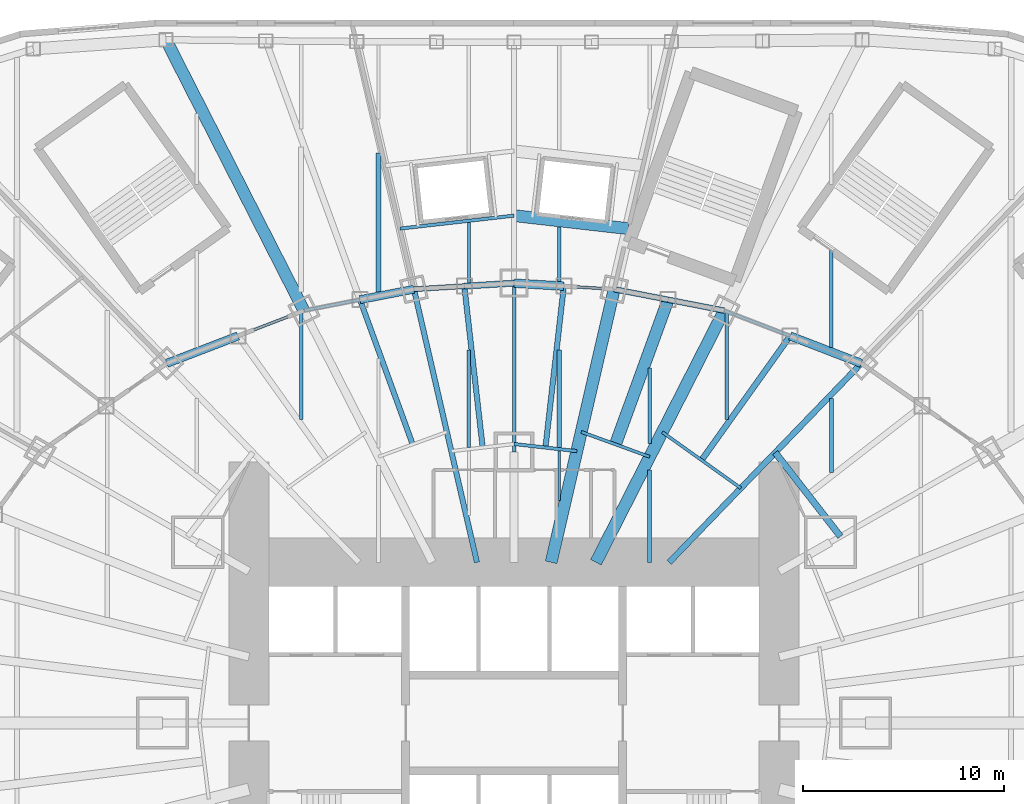
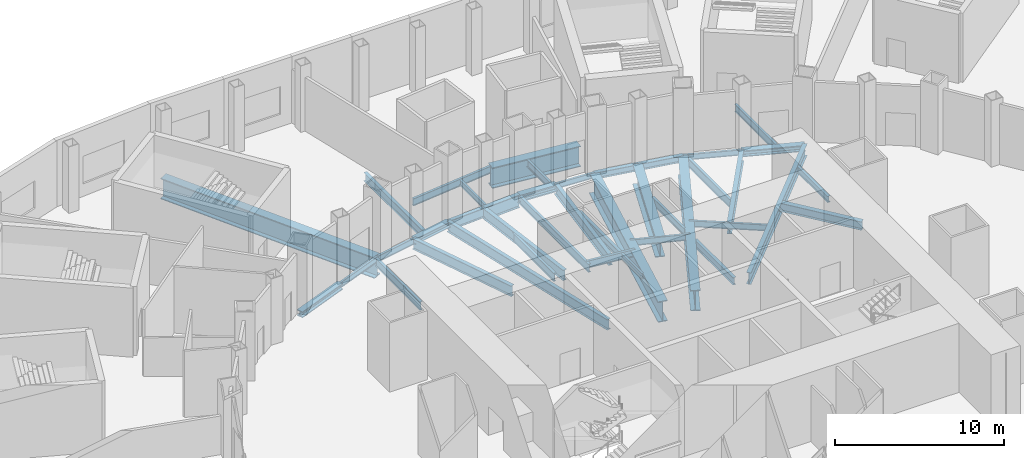
# One storey, part 7 of 73: 41 beams.
"""IFC4 building model written with IfcOpenShell, lengths in metres."""

from ifc_helpers import new_model, si_unit, direction, frame, origin, origin_2d, place, context, subcontext, project, spatial, i_section, extrude, material, material_profile, profile_set, type_object, element, save


model = new_model("IFC4")

# Units and contexts
model_context = context("Model", 3, precision=1e-05, world=origin(), true_north=direction((0.0, 1.0)))
body_context = subcontext(model_context, "Body", "Model", "MODEL_VIEW")
ifc_project = project(units=[si_unit("LENGTHUNIT", "METRE"), si_unit("AREAUNIT", "SQUARE_METRE"), si_unit("VOLUMEUNIT", "CUBIC_METRE"), si_unit("PLANEANGLEUNIT", "RADIAN"), si_unit("MASSUNIT", "GRAM", prefix="KILO")], contexts=[model_context])

# Site, building, storey
site_placement = place(None, origin())
site = spatial("IfcSite", under=ifc_project, at=site_placement, CompositionType="ELEMENT")
building_placement = place(site_placement, origin())
building = spatial("IfcBuilding", under=site, at=building_placement, Name="Lantaw Convention Tower", CompositionType="ELEMENT")
storey_placement = place(building_placement, frame((0.0, 0.0, 27.0)))
storey = spatial("IfcBuildingStorey", under=building, at=storey_placement, Name="L04", CompositionType="ELEMENT", Elevation=27.0)

# Beams
ifc_material_1 = material(Name="Steel ASTM A992", Category="steel")
ifc_material_profile_1 = material_profile(ifc_material_1, i_section(OverallWidth=0.40380859375, OverallDepth=0.406494140625, WebThickness=0.027099609375, FlangeThickness=0.043701171875, FilletRadius=0.01513671875, at=origin_2d()), Name="W14X233")
ifc_profile_set_1 = profile_set([ifc_material_profile_1], Name="Steel ASTM A992")
beam_type_1 = type_object("IfcBeamType", Name="Beam E W14X233", PredefinedType="SPANDREL", material=ifc_profile_set_1)
beam_1_placement = place(storey_placement, frame((-4.986328125, 21.59814453125, -0.4033203125), z_axis=(-0.981637218105, -0.190757364289, 0.0), x_axis=(0.190757364289, -0.981637218105, 0.0)))
element("IfcBeam", 1, at=beam_1_placement, inside=storey, type_object=beam_type_1, Name="Edge beam 8", PredefinedType="SPANDREL", context=body_context, shape_type="SweptSolid", body=[
    extrude(i_section(OverallWidth=0.40380859375, OverallDepth=0.406494140625, WebThickness=0.027099609375, FlangeThickness=0.043701171875, FilletRadius=0.01513671875, at=origin_2d()), origin(), (0.0, 0.0, 1.0), 2.735107421875),
])
ifc_material_profile_2 = material_profile(ifc_material_1, i_section(OverallWidth=0.41650390625, OverallDepth=0.444580078125, WebThickness=0.0390625, FlangeThickness=0.062744140625, FilletRadius=0.01513671875, at=origin_2d()), Name="W14X342")
ifc_profile_set_2 = profile_set([ifc_material_profile_2], Name="Steel ASTM A992")
beam_type_2 = type_object("IfcBeamType", Name="Beam E W14X342", PredefinedType="SPANDREL", material=ifc_profile_set_2)
for number, where, z_axis, x_axis, name in (
    (2, (17.290771484375, 17.9052734375, -0.42236328125), (-0.933224646415, 0.359293416754, 0.0), (-0.359293416754, -0.933224646415, 0.0), "Edge beam 4"),
    (3, (-13.745361328125, 19.270263671875, -0.42236328125), (-0.933224646415, -0.359293416754, 0.0), (0.359293416754, -0.933224646415, 0.0), "Edge beam 9"),
):
    element("IfcBeam", number, at=place(storey_placement, frame(where, z_axis=z_axis, x_axis=x_axis)), inside=storey, type_object=beam_type_2, Name=name, PredefinedType="SPANDREL", context=body_context, shape_type="SweptSolid", body=[
        extrude(i_section(OverallWidth=0.41650390625, OverallDepth=0.444580078125, WebThickness=0.0390625, FlangeThickness=0.062744140625, FilletRadius=0.01513671875, at=origin_2d()), origin(), (0.0, 0.0, 1.0), 3.799072265625),
    ])
ifc_material_profile_3 = material_profile(ifc_material_1, i_section(OverallWidth=0.431884765625, OverallDepth=0.497802734375, WebThickness=0.0556640625, FlangeThickness=0.0888671875, FilletRadius=0.01513671875, at=origin_2d()), Name="W14X500")
ifc_profile_set_3 = profile_set([ifc_material_profile_3], Name="Steel ASTM A992")
beam_type_3 = type_object("IfcBeamType", Name="Beam E W14X500", PredefinedType="SPANDREL", material=ifc_profile_set_3)
beam_2_placement = place(storey_placement, frame((2.47802734375, 21.75, -0.448974609375), z_axis=(-0.998175328335, 0.060382231685, 0.0), x_axis=(-0.060382231685, -0.998175328335, 0.0)))
element("IfcBeam", 4, at=beam_2_placement, inside=storey, type_object=beam_type_3, Name="Edge beam 6", PredefinedType="SPANDREL", context=body_context, shape_type="SweptSolid", body=[
    extrude(i_section(OverallWidth=0.431884765625, OverallDepth=0.497802734375, WebThickness=0.0556640625, FlangeThickness=0.0888671875, FilletRadius=0.01513671875, at=origin_2d()), origin(), (0.0, 0.0, 1.0), 2.482666015625),
])
ifc_material_profile_4 = material_profile(ifc_material_1, i_section(OverallWidth=0.140380859375, OverallDepth=0.40380859375, WebThickness=0.007080078125, FlangeThickness=0.01123046875, FilletRadius=0.01025390625, at=origin_2d()), Name="W16X31")
ifc_profile_set_4 = profile_set([ifc_material_profile_4], Name="Steel ASTM A992")
beam_type_4 = type_object("IfcBeamType", Name="Beam E W16X31", PredefinedType="SPANDREL", material=ifc_profile_set_4)
beam_3_placement = place(storey_placement, frame((13.745361328125, 19.270263671875, -0.40185546875), z_axis=(-0.933241815012, 0.359248820058, 0.0), x_axis=(-0.359248820058, -0.933241815012, 0.0)))
element("IfcBeam", 5, at=beam_3_placement, inside=storey, type_object=beam_type_4, Name="Edge beam 4", PredefinedType="SPANDREL", context=body_context, shape_type="SweptSolid", body=[
    extrude(i_section(OverallWidth=0.140380859375, OverallDepth=0.40380859375, WebThickness=0.007080078125, FlangeThickness=0.01123046875, FilletRadius=0.01025390625, at=origin_2d()), origin(), (0.0, 0.0, 1.0), 3.517578125),
])
beam_4_placement = place(storey_placement, frame((4.986328125, 21.59814453125, -0.40185546875), z_axis=(-0.998172405641, 0.060430527186, 0.0), x_axis=(-0.060430527186, -0.998172405641, 0.0)))
element("IfcBeam", 6, at=beam_4_placement, inside=storey, type_object=beam_type_4, Name="Edge beam 6", PredefinedType="SPANDREL", context=body_context, shape_type="SweptSolid", body=[
    extrude(i_section(OverallWidth=0.140380859375, OverallDepth=0.40380859375, WebThickness=0.007080078125, FlangeThickness=0.01123046875, FilletRadius=0.01025390625, at=origin_2d()), origin(), (0.0, 0.0, 1.0), 2.512939453125),
])
beam_5_placement = place(storey_placement, frame((-10.462646484375, 20.533935546875, -0.40185546875), z_axis=(-0.933241815012, -0.359248820058, 0.0), x_axis=(0.359248820058, -0.933241815012, 0.0)))
element("IfcBeam", 7, at=beam_5_placement, inside=storey, type_object=beam_type_4, Name="Edge beam 9", PredefinedType="SPANDREL", context=body_context, shape_type="SweptSolid", body=[
    extrude(i_section(OverallWidth=0.140380859375, OverallDepth=0.40380859375, WebThickness=0.007080078125, FlangeThickness=0.01123046875, FilletRadius=0.01025390625, at=origin_2d()), origin(), (0.0, 0.0, 1.0), 3.517578125),
])
ifc_material_profile_5 = material_profile(ifc_material_1, i_section(OverallWidth=0.15234375, OverallDepth=0.449462890625, WebThickness=0.007568359375, FlangeThickness=0.0107421875, FilletRadius=0.01025390625, at=origin_2d()), Name="W18X35")
ifc_profile_set_5 = profile_set([ifc_material_profile_5], Name="Steel ASTM A992")
beam_type_5 = type_object("IfcBeamType", Name="Beam E W18X35", PredefinedType="SPANDREL", material=ifc_profile_set_5)
beam_6_placement = place(storey_placement, frame((-7.671142578125, 21.076416015625, -0.4248046875), z_axis=(-0.98163593748, -0.190763954266, 0.0), x_axis=(0.190763954266, -0.98163593748, 0.0)))
element("IfcBeam", 8, at=beam_6_placement, inside=storey, type_object=beam_type_5, Name="Edge beam 8", PredefinedType="SPANDREL", context=body_context, shape_type="SweptSolid", body=[
    extrude(i_section(OverallWidth=0.15234375, OverallDepth=0.449462890625, WebThickness=0.007568359375, FlangeThickness=0.0107421875, FilletRadius=0.01025390625, at=origin_2d()), origin(), (0.0, 0.0, 1.0), 2.84375),
])
ifc_material_profile_6 = material_profile(ifc_material_1, i_section(OverallWidth=0.279296875, OverallDepth=0.462158203125, WebThickness=0.0107421875, FlangeThickness=0.017333984375, FilletRadius=0.01025390625, at=origin_2d()), Name="W18X76")
ifc_profile_set_6 = profile_set([ifc_material_profile_6], Name="Steel ASTM A992")
beam_type_6 = type_object("IfcBeamType", Name="Beam E W18X76", PredefinedType="SPANDREL", material=ifc_profile_set_6)
beam_7_placement = place(storey_placement, frame((10.462646484375, 20.533935546875, -0.43115234375), z_axis=(-0.98163593748, 0.190763954266, 0.0), x_axis=(-0.190763954266, -0.98163593748, 0.0)))
element("IfcBeam", 9, at=beam_7_placement, inside=storey, type_object=beam_type_6, Name="Edge beam 5", PredefinedType="SPANDREL", context=body_context, shape_type="SweptSolid", body=[
    extrude(i_section(OverallWidth=0.279296875, OverallDepth=0.462158203125, WebThickness=0.0107421875, FlangeThickness=0.017333984375, FilletRadius=0.01025390625, at=origin_2d()), origin(), (0.0, 0.0, 1.0), 2.84375),
])
beam_8_placement = place(storey_placement, frame((7.671142578125, 21.076416015625, -0.43115234375), z_axis=(-0.981637218105, 0.190757364289, 0.0), x_axis=(-0.190757364289, -0.981637218105, 0.0)))
element("IfcBeam", 10, at=beam_8_placement, inside=storey, type_object=beam_type_6, Name="Edge beam 5", PredefinedType="SPANDREL", context=body_context, shape_type="SweptSolid", body=[
    extrude(i_section(OverallWidth=0.279296875, OverallDepth=0.462158203125, WebThickness=0.0107421875, FlangeThickness=0.017333984375, FilletRadius=0.01025390625, at=origin_2d()), origin(), (0.0, 0.0, 1.0), 2.735107421875),
])
ifc_material_profile_7 = material_profile(ifc_material_1, i_section(OverallWidth=0.25390625, OverallDepth=0.700927734375, WebThickness=0.015380859375, FlangeThickness=0.02783203125, FilletRadius=0.01513671875, at=origin_2d()), Name="W27X129")
ifc_profile_set_7 = profile_set([ifc_material_profile_7], Name="Steel ASTM A992")
beam_type_7 = type_object("IfcBeamType", Name="Beam E W27X129", PredefinedType="SPANDREL", material=ifc_profile_set_7)
beam_9_placement = place(storey_placement, frame((-2.47802734375, 21.75, -0.550537109375), z_axis=(-0.998172405641, -0.060430527186, 0.0), x_axis=(0.060430527186, -0.998172405641, 0.0)))
element("IfcBeam", 11, at=beam_9_placement, inside=storey, type_object=beam_type_7, Name="Edge beam 7", PredefinedType="SPANDREL", context=body_context, shape_type="SweptSolid", body=[
    extrude(i_section(OverallWidth=0.25390625, OverallDepth=0.700927734375, WebThickness=0.015380859375, FlangeThickness=0.02783203125, FilletRadius=0.01513671875, at=origin_2d()), origin(), (0.0, 0.0, 1.0), 2.512939453125),
])
ifc_material_profile_8 = material_profile(ifc_material_1, i_section(OverallWidth=0.307373046875, OverallDepth=0.922119140625, WebThickness=0.018310546875, FlangeThickness=0.030029296875, FilletRadius=0.0126953125, at=origin_2d()), Name="W36X182")
ifc_profile_set_8 = profile_set([ifc_material_profile_8], Name="Steel ASTM A992")
beam_type_8 = type_object("IfcBeamType", Name="Beam E W36X182", PredefinedType="SPANDREL", material=ifc_profile_set_8)
beam_10_placement = place(storey_placement, frame((0.0, 21.89990234375, -0.660888671875), z_axis=(-0.998175328335, -0.060382231685, 0.0), x_axis=(0.060382231685, -0.998175328335, 0.0)))
element("IfcBeam", 12, at=beam_10_placement, inside=storey, type_object=beam_type_8, Name="Edge beam 7", PredefinedType="SPANDREL", context=body_context, shape_type="SweptSolid", body=[
    extrude(i_section(OverallWidth=0.307373046875, OverallDepth=0.922119140625, WebThickness=0.018310546875, FlangeThickness=0.030029296875, FilletRadius=0.0126953125, at=origin_2d()), origin(), (0.0, 0.0, 1.0), 2.482666015625),
])
ifc_material_2 = material(Name="Steel ASTM A572 Grade 50", Category="steel")
ifc_material_profile_9 = material_profile(ifc_material_2, i_section(OverallWidth=0.60009765625, OverallDepth=1.5, WebThickness=0.02490234375, FlangeThickness=0.06005859375, at=origin_2d()), Name="PG1500X600X25X60")
ifc_profile_set_9 = profile_set([ifc_material_profile_9], Name="Steel ASTM A572 Grade 50")
beam_type_9 = type_object("IfcBeamType", Name="Beam G PG1500X600X25X60", PredefinedType="BEAM", material=ifc_profile_set_9)
beam_11_placement = place(storey_placement, frame((4.076171875, 8.0, -0.949951171875), z_axis=(0.453997016122, 0.891003203896, 0.0), x_axis=(-0.891003203896, 0.453997016122, 0.0)))
element("IfcBeam", 13, at=beam_11_placement, inside=storey, type_object=beam_type_9, Name="Floor girder on ray 5", PredefinedType="BEAM", context=body_context, shape_type="SweptSolid", body=[
    extrude(i_section(OverallWidth=0.60009765625, OverallDepth=1.5, WebThickness=0.02490234375, FlangeThickness=0.06005859375, at=origin_2d()), origin(), (0.0, 0.0, 1.0), 14.067138671875),
])
beam_12_placement = place(storey_placement, frame((5.04931640625, 13.873046875, -0.949951171875), z_axis=(0.342021781151, 0.939692024664, 0.0), x_axis=(-0.939692024664, 0.342021781151, 0.0)))
element("IfcBeam", 14, at=beam_12_placement, inside=storey, type_object=beam_type_9, Name="Floor girder on bisector 5", PredefinedType="BEAM", context=body_context, shape_type="SweptSolid", body=[
    extrude(i_section(OverallWidth=0.60009765625, OverallDepth=1.5, WebThickness=0.02490234375, FlangeThickness=0.06005859375, at=origin_2d()), origin(), (0.0, 0.0, 1.0), 7.665771484375),
])
beam_13_placement = place(storey_placement, frame((1.846923828125, 8.0, -0.949951171875), z_axis=(0.224952773175, 0.97436966796, 0.0), x_axis=(-0.97436966796, 0.224952773175, 0.0)))
element("IfcBeam", 15, at=beam_13_placement, inside=storey, type_object=beam_type_9, Name="Floor girder on ray 6", PredefinedType="BEAM", context=body_context, shape_type="SweptSolid", body=[
    extrude(i_section(OverallWidth=0.60009765625, OverallDepth=1.5, WebThickness=0.02490234375, FlangeThickness=0.06005859375, at=origin_2d()), origin(), (0.0, 0.0, 1.0), 13.955810546875),
])
ifc_material_profile_10 = material_profile(ifc_material_1, i_section(OverallWidth=0.177978515625, OverallDepth=0.599365234375, WebThickness=0.010009765625, FlangeThickness=0.012939453125, FilletRadius=0.012939453125, at=origin_2d()), Name="W24X55")
ifc_profile_set_10 = profile_set([ifc_material_profile_10], Name="Steel ASTM A992")
beam_type_10 = type_object("IfcBeamType", Name="Beam G W24X55", PredefinedType="BEAM", material=ifc_profile_set_10)
beam_14_placement = place(storey_placement, frame((0.0, 13.5, -0.499755859375), z_axis=(0.0, 1.0, 0.0), x_axis=(-1.0, 0.0, 0.0)))
element("IfcBeam", 16, at=beam_14_placement, inside=storey, type_object=beam_type_10, Name="Floor girder on ray 7", PredefinedType="BEAM", context=body_context, shape_type="SweptSolid", body=[
    extrude(i_section(OverallWidth=0.177978515625, OverallDepth=0.599365234375, WebThickness=0.010009765625, FlangeThickness=0.012939453125, FilletRadius=0.012939453125, at=origin_2d()), origin(), (0.0, 0.0, 1.0), 8.39990234375),
])
ifc_material_profile_11 = material_profile(ifc_material_1, i_section(OverallWidth=0.2666015625, OverallDepth=0.7568359375, WebThickness=0.013916015625, FlangeThickness=0.019287109375, FilletRadius=0.0126953125, at=origin_2d()), Name="W30X108")
ifc_profile_set_11 = profile_set([ifc_material_profile_11], Name="Steel ASTM A992")
beam_type_11 = type_object("IfcBeamType", Name="Beam G W30X108", PredefinedType="BEAM", material=ifc_profile_set_11)
beam_15_placement = place(storey_placement, frame((-1.5625, 13.713134765625, -0.578369140625), z_axis=(-0.113183957156, 0.993574049501, 0.0), x_axis=(-0.993574049501, -0.113183957156, 0.0)))
element("IfcBeam", 17, at=beam_15_placement, inside=storey, type_object=beam_type_11, Name="Floor girder on bisector 7", PredefinedType="BEAM", context=body_context, shape_type="SweptSolid", body=[
    extrude(i_section(OverallWidth=0.2666015625, OverallDepth=0.7568359375, WebThickness=0.013916015625, FlangeThickness=0.019287109375, FilletRadius=0.0126953125, at=origin_2d()), origin(), (0.0, 0.0, 1.0), 8.0888671875),
])
ifc_material_profile_12 = material_profile(ifc_material_1, i_section(OverallWidth=0.2666015625, OverallDepth=0.76953125, WebThickness=0.015625, FlangeThickness=0.025390625, FilletRadius=0.0126953125, at=origin_2d()), Name="W30X132")
ifc_profile_set_12 = profile_set([ifc_material_profile_12], Name="Steel ASTM A992")
beam_type_12 = type_object("IfcBeamType", Name="Beam G W30X132", PredefinedType="BEAM", material=ifc_profile_set_12)
beam_16_placement = place(storey_placement, frame((1.5625, 13.713134765625, -0.584716796875), z_axis=(0.113183957156, 0.993574049501, 0.0), x_axis=(-0.993574049501, 0.113183957156, 0.0)))
element("IfcBeam", 18, at=beam_16_placement, inside=storey, type_object=beam_type_12, Name="Floor girder on bisector 6", PredefinedType="BEAM", context=body_context, shape_type="SweptSolid", body=[
    extrude(i_section(OverallWidth=0.2666015625, OverallDepth=0.76953125, WebThickness=0.015625, FlangeThickness=0.025390625, FilletRadius=0.0126953125, at=origin_2d()), origin(), (0.0, 0.0, 1.0), 8.0888671875),
])
beam_17_placement = place(storey_placement, frame((-1.846923828125, 8.0, -0.584716796875), z_axis=(-0.224952773175, 0.97436966796, 0.0), x_axis=(-0.97436966796, -0.224952773175, 0.0)))
element("IfcBeam", 19, at=beam_17_placement, inside=storey, type_object=beam_type_12, Name="Floor girder on ray 8", PredefinedType="BEAM", context=body_context, shape_type="SweptSolid", body=[
    extrude(i_section(OverallWidth=0.2666015625, OverallDepth=0.76953125, WebThickness=0.015625, FlangeThickness=0.025390625, FilletRadius=0.0126953125, at=origin_2d()), origin(), (0.0, 0.0, 1.0), 13.955810546875),
])
beam_18_placement = place(storey_placement, frame((-5.04931640625, 13.873046875, -0.584716796875), z_axis=(-0.342021781151, 0.939692024664, 0.0), x_axis=(-0.939692024664, -0.342021781151, 0.0)))
element("IfcBeam", 20, at=beam_18_placement, inside=storey, type_object=beam_type_12, Name="Floor girder on bisector 8", PredefinedType="BEAM", context=body_context, shape_type="SweptSolid", body=[
    extrude(i_section(OverallWidth=0.2666015625, OverallDepth=0.76953125, WebThickness=0.015625, FlangeThickness=0.025390625, FilletRadius=0.0126953125, at=origin_2d()), origin(), (0.0, 0.0, 1.0), 7.665771484375),
])
ifc_material_profile_13 = material_profile(ifc_material_1, i_section(OverallWidth=0.2919921875, OverallDepth=0.845703125, WebThickness=0.015380859375, FlangeThickness=0.0244140625, FilletRadius=0.01513671875, at=origin_2d()), Name="W33X141")
ifc_profile_set_13 = profile_set([ifc_material_profile_13], Name="Steel ASTM A992")
beam_type_13 = type_object("IfcBeamType", Name="Beam G W33X141", PredefinedType="BEAM", material=ifc_profile_set_13)
beam_19_placement = place(storey_placement, frame((7.7255859375, 8.0, -0.622802734375), z_axis=(0.694649884291, 0.719347995239, 0.0), x_axis=(-0.719347995239, 0.694649884291, 0.0)))
element("IfcBeam", 21, at=beam_19_placement, inside=storey, type_object=beam_type_13, Name="Floor girder on ray 4", PredefinedType="BEAM", context=body_context, shape_type="SweptSolid", body=[
    extrude(i_section(OverallWidth=0.2919921875, OverallDepth=0.845703125, WebThickness=0.015380859375, FlangeThickness=0.0244140625, FilletRadius=0.01513671875, at=origin_2d()), origin(), (0.0, 0.0, 1.0), 13.769775390625),
])
beam_20_placement = place(storey_placement, frame((9.335693359375, 13.088134765625, -0.622802734375), z_axis=(0.580702805158, 0.814115625745, 0.0), x_axis=(-0.814115625745, 0.580702805158, 0.0)))
element("IfcBeam", 22, at=beam_20_placement, inside=storey, type_object=beam_type_13, Name="Floor girder on bisector 4", PredefinedType="BEAM", context=body_context, shape_type="SweptSolid", body=[
    extrude(i_section(OverallWidth=0.2919921875, OverallDepth=0.845703125, WebThickness=0.015380859375, FlangeThickness=0.0244140625, FilletRadius=0.01513671875, at=origin_2d()), origin(), (0.0, 0.0, 1.0), 7.59375),
])
ifc_material_profile_14 = material_profile(ifc_material_1, i_section(OverallWidth=0.15234375, OverallDepth=0.449462890625, WebThickness=0.007568359375, FlangeThickness=0.0107421875, FilletRadius=0.01025390625, at=origin_2d()), Name="W18X35")
ifc_profile_set_14 = profile_set([ifc_material_profile_14], Name="Steel ASTM A992")
beam_type_14 = type_object("IfcBeamType", Name="Beam HC W18X35", PredefinedType="BEAM", material=ifc_profile_set_14)
beam_21_placement = place(storey_placement, frame((11.291748046875, 11.69287109375, -0.4248046875), z_axis=(-0.814110909588, 0.580709416912, 0.0), x_axis=(-0.580709416912, -0.814110909588, 0.0)))
element("IfcBeam", 23, at=beam_21_placement, inside=storey, type_object=beam_type_14, Name="Collar beam on bisector 4", PredefinedType="BEAM", context=body_context, shape_type="SweptSolid", body=[
    extrude(i_section(OverallWidth=0.15234375, OverallDepth=0.449462890625, WebThickness=0.007568359375, FlangeThickness=0.0107421875, FilletRadius=0.01025390625, at=origin_2d()), origin(), (0.0, 0.0, 1.0), 4.805419921875),
])
beam_22_placement = place(storey_placement, frame((6.752685546875, 13.253173828125, -0.4248046875), z_axis=(-0.939689171859, 0.342029619025, 0.0), x_axis=(-0.342029619025, -0.939689171859, 0.0)))
element("IfcBeam", 24, at=beam_22_placement, inside=storey, type_object=beam_type_14, Name="Collar beam on bisector 5", PredefinedType="BEAM", context=body_context, shape_type="SweptSolid", body=[
    extrude(i_section(OverallWidth=0.15234375, OverallDepth=0.449462890625, WebThickness=0.007568359375, FlangeThickness=0.0107421875, FilletRadius=0.01025390625, at=origin_2d()), origin(), (0.0, 0.0, 1.0), 3.62548828125),
])
ifc_material_profile_15 = material_profile(ifc_material_1, i_section(OverallWidth=0.165771484375, OverallDepth=0.5283203125, WebThickness=0.009765625, FlangeThickness=0.013671875, FilletRadius=0.012939453125, at=origin_2d()), Name="W21X50")
ifc_profile_set_15 = profile_set([ifc_material_profile_15], Name="Steel ASTM A992")
beam_type_15 = type_object("IfcBeamType", Name="Beam HC W21X50", PredefinedType="BEAM", material=ifc_profile_set_15)
beam_23_placement = place(storey_placement, frame((3.124755859375, 13.534912109375, -0.464111328125), z_axis=(-0.99356540907, 0.113259780595, 0.0), x_axis=(-0.113259780595, -0.99356540907, 0.0)))
element("IfcBeam", 25, at=beam_23_placement, inside=storey, type_object=beam_type_15, Name="Collar beam on bisector 6", PredefinedType="BEAM", context=body_context, shape_type="SweptSolid", body=[
    extrude(i_section(OverallWidth=0.165771484375, OverallDepth=0.5283203125, WebThickness=0.009765625, FlangeThickness=0.013671875, FilletRadius=0.012939453125, at=origin_2d()), origin(), (0.0, 0.0, 1.0), 3.14501953125),
])
ifc_material_profile_16 = material_profile(ifc_material_1, i_section(OverallWidth=0.3251953125, OverallDepth=0.612060546875, WebThickness=0.0126953125, FlangeThickness=0.01904296875, FilletRadius=0.0126953125, at=origin_2d()), Name="W24X104")
ifc_profile_set_16 = profile_set([ifc_material_profile_16], Name="Steel ASTM A992")
beam_type_16 = type_object("IfcBeamType", Name="Beam HC W24X104", PredefinedType="BEAM", material=ifc_profile_set_16)
beam_24_placement = place(storey_placement, frame((16.2529296875, 9.287353515625, -0.506103515625), z_axis=(-0.613915067401, 0.789372085913, 0.0), x_axis=(-0.789372085913, -0.613915067401, 0.0)))
element("IfcBeam", 26, at=beam_24_placement, inside=storey, type_object=beam_type_16, Name="Collar beam on bisector 3", PredefinedType="BEAM", context=body_context, shape_type="SweptSolid", body=[
    extrude(i_section(OverallWidth=0.3251953125, OverallDepth=0.612060546875, WebThickness=0.0126953125, FlangeThickness=0.01904296875, FilletRadius=0.0126953125, at=origin_2d()), origin(), (0.0, 0.0, 1.0), 5.293212890625),
])
ifc_material_profile_17 = material_profile(ifc_material_1, i_section(OverallWidth=0.140380859375, OverallDepth=0.40380859375, WebThickness=0.007080078125, FlangeThickness=0.01123046875, FilletRadius=0.01025390625, at=origin_2d()), Name="W16X31")
ifc_profile_set_17 = profile_set([ifc_material_profile_17], Name="Steel ASTM A992")
beam_type_17 = type_object("IfcBeamType", Name="Beam J W16X31", PredefinedType="JOIST", material=ifc_profile_set_17)
beam_25_placement = place(storey_placement, frame((-2.25, 21.917724609375, -0.40185546875), z_axis=(0.0, 1.0, 0.0), x_axis=(-1.0, 0.0, 0.0)))
element("IfcBeam", 27, at=beam_25_placement, inside=storey, type_object=beam_type_17, Name="Floor joist", PredefinedType="JOIST", context=body_context, shape_type="SweptSolid", body=[
    extrude(i_section(OverallWidth=0.140380859375, OverallDepth=0.40380859375, WebThickness=0.007080078125, FlangeThickness=0.01123046875, FilletRadius=0.01025390625, at=origin_2d()), origin(), (0.0, 0.0, 1.0), 3.005126953125),
])
beam_26_placement = place(storey_placement, frame((2.25, 11.079345703125, -0.40185546875), z_axis=(0.0, 1.0, 0.0), x_axis=(-1.0, 0.0, 0.0)))
element("IfcBeam", 28, at=beam_26_placement, inside=storey, type_object=beam_type_17, Name="Floor joist", PredefinedType="JOIST", context=body_context, shape_type="SweptSolid", body=[
    extrude(i_section(OverallWidth=0.140380859375, OverallDepth=0.40380859375, WebThickness=0.007080078125, FlangeThickness=0.01123046875, FilletRadius=0.01025390625, at=origin_2d()), origin(), (0.0, 0.0, 1.0), 2.471923828125),
])
ifc_material_profile_18 = material_profile(ifc_material_1, i_section(OverallWidth=0.1904296875, OverallDepth=0.457275390625, WebThickness=0.009033203125, FlangeThickness=0.014404296875, FilletRadius=0.01025390625, at=origin_2d()), Name="W18X50")
ifc_profile_set_18 = profile_set([ifc_material_profile_18], Name="Steel ASTM A992")
beam_type_18 = type_object("IfcBeamType", Name="Beam J W18X50", PredefinedType="JOIST", material=ifc_profile_set_18)
beam_27_placement = place(storey_placement, frame((15.800048828125, 12.472900390625, -0.4287109375), z_axis=(0.0, 1.0, 0.0), x_axis=(-1.0, 0.0, 0.0)))
element("IfcBeam", 29, at=beam_27_placement, inside=storey, type_object=beam_type_18, Name="Floor joist", PredefinedType="JOIST", context=body_context, shape_type="SweptSolid", body=[
    extrude(i_section(OverallWidth=0.1904296875, OverallDepth=0.457275390625, WebThickness=0.009033203125, FlangeThickness=0.014404296875, FilletRadius=0.01025390625, at=origin_2d()), origin(), (0.0, 0.0, 1.0), 3.67822265625),
])
ifc_material_profile_19 = material_profile(ifc_material_1, i_section(OverallWidth=0.1650390625, OverallDepth=0.52587890625, WebThickness=0.0087890625, FlangeThickness=0.011474609375, FilletRadius=0.0126953125, at=origin_2d()), Name="W21X44")
ifc_profile_set_19 = profile_set([ifc_material_profile_19], Name="Steel ASTM A992")
beam_type_19 = type_object("IfcBeamType", Name="Beam J W21X44", PredefinedType="JOIST", material=ifc_profile_set_19)
beam_28_placement = place(storey_placement, frame((2.25, 21.97998046875, -0.462890625), z_axis=(0.0, 1.0, 0.0), x_axis=(-1.0, 0.0, 0.0)))
element("IfcBeam", 30, at=beam_28_placement, inside=storey, type_object=beam_type_19, Name="Floor joist", PredefinedType="JOIST", context=body_context, shape_type="SweptSolid", body=[
    extrude(i_section(OverallWidth=0.1650390625, OverallDepth=0.52587890625, WebThickness=0.0087890625, FlangeThickness=0.011474609375, FilletRadius=0.0126953125, at=origin_2d()), origin(), (0.0, 0.0, 1.0), 2.72412109375),
])
beam_29_placement = place(storey_placement, frame((6.75, 13.914794921875, -0.462890625), z_axis=(0.0, 1.0, 0.0), x_axis=(-1.0, 0.0, 0.0)))
element("IfcBeam", 31, at=beam_29_placement, inside=storey, type_object=beam_type_19, Name="Floor joist", PredefinedType="JOIST", context=body_context, shape_type="SweptSolid", body=[
    extrude(i_section(OverallWidth=0.1650390625, OverallDepth=0.52587890625, WebThickness=0.0087890625, FlangeThickness=0.011474609375, FilletRadius=0.0126953125, at=origin_2d()), origin(), (0.0, 0.0, 1.0), 3.75341796875),
])
ifc_material_profile_20 = material_profile(ifc_material_1, i_section(OverallWidth=0.165771484375, OverallDepth=0.5283203125, WebThickness=0.009765625, FlangeThickness=0.013671875, FilletRadius=0.012939453125, at=origin_2d()), Name="W21X50")
ifc_profile_set_20 = profile_set([ifc_material_profile_20], Name="Steel ASTM A992")
beam_type_20 = type_object("IfcBeamType", Name="Beam J W21X50", PredefinedType="JOIST", material=ifc_profile_set_20)
beam_30_placement = place(storey_placement, frame((15.800048828125, 18.702392578125, -0.464111328125), z_axis=(0.0, 1.0, 0.0), x_axis=(-1.0, 0.0, 0.0)))
element("IfcBeam", 32, at=beam_30_placement, inside=storey, type_object=beam_type_20, Name="Floor joist", PredefinedType="JOIST", context=body_context, shape_type="SweptSolid", body=[
    extrude(i_section(OverallWidth=0.165771484375, OverallDepth=0.5283203125, WebThickness=0.009765625, FlangeThickness=0.013671875, FilletRadius=0.012939453125, at=origin_2d()), origin(), (0.0, 0.0, 1.0), 4.8212890625),
])
ifc_material_profile_21 = material_profile(ifc_material_1, i_section(OverallWidth=0.2099609375, OverallDepth=0.535888671875, WebThickness=0.010986328125, FlangeThickness=0.017333984375, FilletRadius=0.012939453125, at=origin_2d()), Name="W21X68")
ifc_profile_set_21 = profile_set([ifc_material_profile_21], Name="Steel ASTM A992")
beam_type_21 = type_object("IfcBeamType", Name="Beam J W21X68", PredefinedType="JOIST", material=ifc_profile_set_21)
beam_31_placement = place(storey_placement, frame((2.25, 13.71826171875, -0.468017578125), z_axis=(0.0, 1.0, 0.0), x_axis=(-1.0, 0.0, 0.0)))
element("IfcBeam", 33, at=beam_31_placement, inside=storey, type_object=beam_type_21, Name="Floor joist", PredefinedType="JOIST", context=body_context, shape_type="SweptSolid", body=[
    extrude(i_section(OverallWidth=0.2099609375, OverallDepth=0.535888671875, WebThickness=0.010986328125, FlangeThickness=0.017333984375, FilletRadius=0.012939453125, at=origin_2d()), origin(), (0.0, 0.0, 1.0), 4.851806640625),
])
beam_32_placement = place(storey_placement, frame((6.75, 8.0, -0.468017578125), z_axis=(0.0, 1.0, 0.0), x_axis=(-1.0, 0.0, 0.0)))
element("IfcBeam", 34, at=beam_32_placement, inside=storey, type_object=beam_type_21, Name="Floor joist", PredefinedType="JOIST", context=body_context, shape_type="SweptSolid", body=[
    extrude(i_section(OverallWidth=0.2099609375, OverallDepth=0.535888671875, WebThickness=0.010986328125, FlangeThickness=0.017333984375, FilletRadius=0.012939453125, at=origin_2d()), origin(), (0.0, 0.0, 1.0), 4.5869140625),
])
ifc_material_profile_22 = material_profile(ifc_material_1, i_section(OverallWidth=0.177978515625, OverallDepth=0.599365234375, WebThickness=0.010009765625, FlangeThickness=0.012939453125, FilletRadius=0.012939453125, at=origin_2d()), Name="W24X55")
ifc_profile_set_22 = profile_set([ifc_material_profile_22], Name="Steel ASTM A992")
beam_type_22 = type_object("IfcBeamType", Name="Beam J W24X55", PredefinedType="JOIST", material=ifc_profile_set_22)
beam_33_placement = place(storey_placement, frame((-10.60009765625, 15.112060546875, -0.499755859375), z_axis=(0.0, 1.0, 0.0), x_axis=(-1.0, 0.0, 0.0)))
element("IfcBeam", 35, at=beam_33_placement, inside=storey, type_object=beam_type_22, Name="Floor joist", PredefinedType="JOIST", context=body_context, shape_type="SweptSolid", body=[
    extrude(i_section(OverallWidth=0.177978515625, OverallDepth=0.599365234375, WebThickness=0.010009765625, FlangeThickness=0.012939453125, FilletRadius=0.012939453125, at=origin_2d()), origin(), (0.0, 0.0, 1.0), 5.293701171875),
])
beam_34_placement = place(storey_placement, frame((-2.25, 13.71826171875, -0.499755859375), z_axis=(0.0, 1.0, 0.0), x_axis=(-1.0, 0.0, 0.0)))
element("IfcBeam", 36, at=beam_34_placement, inside=storey, type_object=beam_type_22, Name="Floor joist", PredefinedType="JOIST", context=body_context, shape_type="SweptSolid", body=[
    extrude(i_section(OverallWidth=0.177978515625, OverallDepth=0.599365234375, WebThickness=0.010009765625, FlangeThickness=0.012939453125, FilletRadius=0.012939453125, at=origin_2d()), origin(), (0.0, 0.0, 1.0), 4.851806640625),
])
beam_35_placement = place(storey_placement, frame((10.60009765625, 15.112060546875, -0.499755859375), z_axis=(0.0, 1.0, 0.0), x_axis=(-1.0, 0.0, 0.0)))
element("IfcBeam", 37, at=beam_35_placement, inside=storey, type_object=beam_type_22, Name="Floor joist", PredefinedType="JOIST", context=body_context, shape_type="SweptSolid", body=[
    extrude(i_section(OverallWidth=0.177978515625, OverallDepth=0.599365234375, WebThickness=0.010009765625, FlangeThickness=0.012939453125, FilletRadius=0.012939453125, at=origin_2d()), origin(), (0.0, 0.0, 1.0), 5.293701171875),
])
ifc_material_profile_23 = material_profile(ifc_material_1, i_section(OverallWidth=0.22900390625, OverallDepth=0.612060546875, WebThickness=0.011962890625, FlangeThickness=0.01953125, FilletRadius=0.0126953125, at=origin_2d()), Name="W24X84")
ifc_profile_set_23 = profile_set([ifc_material_profile_23], Name="Steel ASTM A992")
beam_type_23 = type_object("IfcBeamType", Name="Beam J W24X84", PredefinedType="JOIST", material=ifc_profile_set_23)
beam_36_placement = place(storey_placement, frame((-6.75, 21.4609375, -0.506103515625), z_axis=(0.0, 1.0, 0.0), x_axis=(-1.0, 0.0, 0.0)))
element("IfcBeam", 38, at=beam_36_placement, inside=storey, type_object=beam_type_23, Name="Floor joist", PredefinedType="JOIST", context=body_context, shape_type="SweptSolid", body=[
    extrude(i_section(OverallWidth=0.22900390625, OverallDepth=0.612060546875, WebThickness=0.011962890625, FlangeThickness=0.01953125, FilletRadius=0.0126953125, at=origin_2d()), origin(), (0.0, 0.0, 1.0), 6.9296875),
])
ifc_material_profile_24 = material_profile(ifc_material_2, i_section(OverallWidth=0.60009765625, OverallDepth=1.5, WebThickness=0.02490234375, FlangeThickness=0.06005859375, at=origin_2d()), Name="PG1500X600X25X60")
ifc_profile_set_24 = profile_set([ifc_material_profile_24], Name="Steel ASTM A572 Grade 50")
beam_type_24 = type_object("IfcBeamType", Name="Beam PG PG1500X600X25X60", PredefinedType="BEAM", material=ifc_profile_set_24)
beam_37_placement = place(storey_placement, frame((-10.462646484375, 20.533935546875, -0.949951171875), z_axis=(-0.453988364005, 0.891007612396, 0.0), x_axis=(-0.891007612396, -0.453988364005, 0.0)))
element("IfcBeam", 39, at=beam_37_placement, inside=storey, type_object=beam_type_24, Name="Podium girder PR09", PredefinedType="BEAM", context=body_context, shape_type="SweptSolid", body=[
    extrude(i_section(OverallWidth=0.60009765625, OverallDepth=1.5, WebThickness=0.02490234375, FlangeThickness=0.06005859375, at=origin_2d()), origin(), (0.0, 0.0, 1.0), 15.135498046875),
])
ifc_material_profile_25 = material_profile(ifc_material_2, i_section(OverallWidth=0.60009765625, OverallDepth=1.5, WebThickness=0.02490234375, FlangeThickness=0.06005859375, at=origin_2d()), Name="PG1500X600X25X60")
ifc_profile_set_25 = profile_set([ifc_material_profile_25], Name="Steel ASTM A572 Grade 50")
beam_type_25 = type_object("IfcBeamType", Name="Beam TR PG1500X600X25X60", PredefinedType="BEAM", material=ifc_profile_set_25)
beam_38_placement = place(storey_placement, frame((5.682861328125, 24.614990234375, -0.949951171875), z_axis=(-0.99357223569, 0.11319987838, 0.0), x_axis=(-0.11319987838, -0.99357223569, 0.0)))
element("IfcBeam", 40, at=beam_38_placement, inside=storey, type_object=beam_type_25, Name="Opening trimmer beam", PredefinedType="BEAM", context=body_context, shape_type="SweptSolid", body=[
    extrude(i_section(OverallWidth=0.60009765625, OverallDepth=1.5, WebThickness=0.02490234375, FlangeThickness=0.06005859375, at=origin_2d()), origin(), (0.0, 0.0, 1.0), 5.7197265625),
])
ifc_material_profile_26 = material_profile(ifc_material_1, i_section(OverallWidth=0.1650390625, OverallDepth=0.52587890625, WebThickness=0.0087890625, FlangeThickness=0.011474609375, FilletRadius=0.0126953125, at=origin_2d()), Name="W21X44")
ifc_profile_set_26 = profile_set([ifc_material_profile_26], Name="Steel ASTM A992")
beam_type_26 = type_object("IfcBeamType", Name="Beam TR W21X44", PredefinedType="BEAM", material=ifc_profile_set_26)
beam_39_placement = place(storey_placement, frame((0.0, 25.262451171875, -0.462890625), z_axis=(-0.99357223569, -0.11319987838, 0.0), x_axis=(0.11319987838, -0.99357223569, 0.0)))
element("IfcBeam", 41, at=beam_39_placement, inside=storey, type_object=beam_type_26, Name="Opening trimmer beam", PredefinedType="BEAM", context=body_context, shape_type="SweptSolid", body=[
    extrude(i_section(OverallWidth=0.1650390625, OverallDepth=0.52587890625, WebThickness=0.0087890625, FlangeThickness=0.011474609375, FilletRadius=0.0126953125, at=origin_2d()), origin(), (0.0, 0.0, 1.0), 5.7197265625),
])

save(model, "model.ifc")
